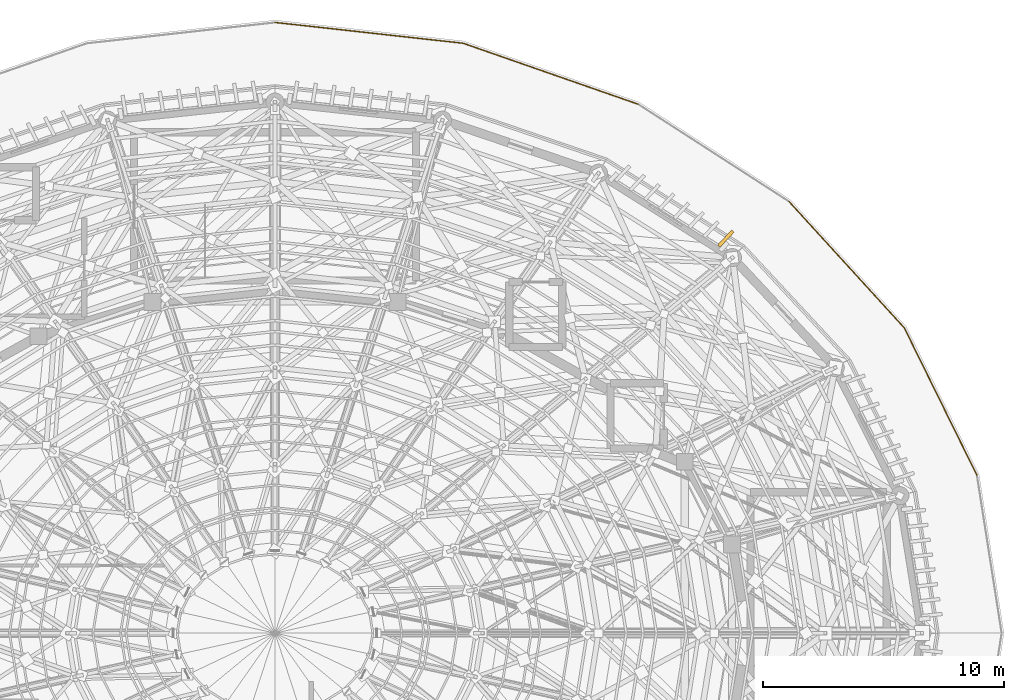
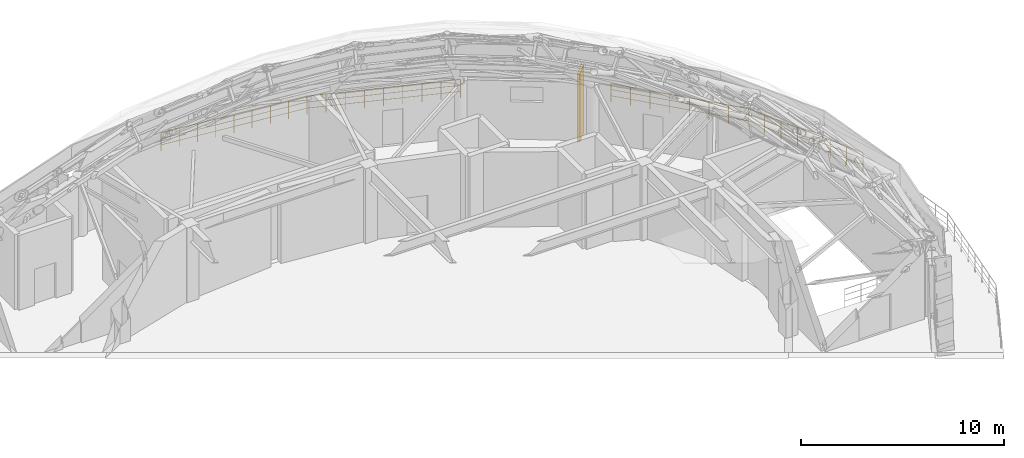
# One storey, part 50 of 50: 4 railings, 1 shading device.
"""IFC4 building model written with IfcOpenShell, lengths in metres."""

from ifc_helpers import new_model, si_unit, direction, frame, origin, origin_2d, place, context, subcontext, project, spatial, rectangle, circle, extrude, material, type_object, element, save


model = new_model("IFC4")

# Units and contexts
model_context = context("Model", 3, precision=1e-05, world=origin(), true_north=direction((0.0, 1.0)))
body_context = subcontext(model_context, "Body", "Model", "MODEL_VIEW")
ifc_project = project(units=[si_unit("LENGTHUNIT", "METRE"), si_unit("AREAUNIT", "SQUARE_METRE"), si_unit("VOLUMEUNIT", "CUBIC_METRE"), si_unit("PLANEANGLEUNIT", "RADIAN"), si_unit("MASSUNIT", "GRAM", prefix="KILO")], contexts=[model_context])

# Site, building, storey
site_placement = place(None, origin())
site = spatial("IfcSite", under=ifc_project, at=site_placement, CompositionType="ELEMENT")
building_placement = place(site_placement, origin())
building = spatial("IfcBuilding", under=site, at=building_placement, Name="Cinderbank Siding Concert Hall", CompositionType="ELEMENT")
storey_placement = place(building_placement, frame((0.0, 0.0, 23.699951171875)))
storey = spatial("IfcBuildingStorey", under=building, at=storey_placement, Name="L06", CompositionType="ELEMENT", Elevation=23.699951171875)

# Railings
ifc_material_1 = material(Name="Structural steel AS/NZS 3679.1 Grade 350 (340 MPa)", Category="steel")
railing_type = type_object("IfcRailingType", Name="GD-01 Terrace & Perimeter Guardrail 1120mm", PredefinedType="GUARDRAIL", material=ifc_material_1)
railing_1_placement = place(storey_placement, frame((122.0, 69.29931640625, 0.0)))
element("IfcRailing", 1, at=railing_1_placement, inside=storey, type_object=railing_type, Name="L06 Perimeter Guardrail #145", PredefinedType="GUARDRAIL", context=body_context, shape_type="SweptSolid", body=[
    extrude(circle(Radius=0.02392578125, at=origin_2d()), frame((0.0, 0.0, 1.09619140625), z_axis=(0.993925427563, -0.110055642488, 0.0), x_axis=(0.110055642488, 0.993925427563, 0.0)), (0.0, 0.0, 1.0), 7.841796875),
    extrude(circle(Radius=0.01611328125, at=origin_2d()), frame((0.0, 0.0, 0.36962890625), z_axis=(0.993925427563, -0.110055642488, 0.0), x_axis=(0.110055642488, 0.993925427563, 0.0)), (0.0, 0.0, 1.0), 7.841796875),
    extrude(circle(Radius=0.01611328125, at=origin_2d()), frame((0.0, 0.0, 0.7392578125), z_axis=(0.993925427563, -0.110055642488, 0.0), x_axis=(0.110055642488, 0.993925427563, 0.0)), (0.0, 0.0, 1.0), 7.841796875),
    extrude(circle(Radius=0.02099609375, at=origin_2d()), origin(), (0.0, 0.0, 1.0), 1.072021484375),
    extrude(circle(Radius=0.02099609375, at=origin_2d()), frame((0.974365234375, -0.10791015625, 0.0)), (0.0, 0.0, 1.0), 1.072021484375),
    extrude(circle(Radius=0.02099609375, at=origin_2d()), frame((1.948486328125, -0.2158203125, 0.0)), (0.0, 0.0, 1.0), 1.072021484375),
    extrude(circle(Radius=0.02099609375, at=origin_2d()), frame((2.9228515625, -0.32373046875, 0.0)), (0.0, 0.0, 1.0), 1.072021484375),
    extrude(circle(Radius=0.02099609375, at=origin_2d()), frame((3.89697265625, -0.431640625, 0.0)), (0.0, 0.0, 1.0), 1.072021484375),
    extrude(circle(Radius=0.02099609375, at=origin_2d()), frame((4.871337890625, -0.539306640625, 0.0)), (0.0, 0.0, 1.0), 1.072021484375),
    extrude(circle(Radius=0.02099609375, at=origin_2d()), frame((5.845703125, -0.647216796875, 0.0)), (0.0, 0.0, 1.0), 1.072021484375),
    extrude(circle(Radius=0.02099609375, at=origin_2d()), frame((6.81982421875, -0.755126953125, 0.0)), (0.0, 0.0, 1.0), 1.072021484375),
    extrude(circle(Radius=0.02099609375, at=origin_2d()), frame((7.794189453125, -0.863037109375, 0.0)), (0.0, 0.0, 1.0), 1.072021484375),
])
railing_2_placement = place(storey_placement, frame((129.794189453125, 68.436279296875, 0.0)))
element("IfcRailing", 2, at=railing_2_placement, inside=storey, type_object=railing_type, Name="L06 Perimeter Guardrail #146", PredefinedType="GUARDRAIL", context=body_context, shape_type="SweptSolid", body=[
    extrude(circle(Radius=0.02392578125, at=origin_2d()), frame((0.0, 0.0, 1.09619140625), z_axis=(0.94433649483, -0.328981130965, 0.0), x_axis=(0.328981130965, 0.94433649483, 0.0)), (0.0, 0.0, 1.0), 7.689697265625),
    extrude(circle(Radius=0.01611328125, at=origin_2d()), frame((0.0, 0.0, 0.36962890625), z_axis=(0.94433649483, -0.328981130965, 0.0), x_axis=(0.328981130965, 0.94433649483, 0.0)), (0.0, 0.0, 1.0), 7.689697265625),
    extrude(circle(Radius=0.01611328125, at=origin_2d()), frame((0.0, 0.0, 0.7392578125), z_axis=(0.94433649483, -0.328981130965, 0.0), x_axis=(0.328981130965, 0.94433649483, 0.0)), (0.0, 0.0, 1.0), 7.689697265625),
    extrude(circle(Radius=0.02099609375, at=origin_2d()), origin(), (0.0, 0.0, 1.0), 1.072021484375),
    extrude(circle(Radius=0.02099609375, at=origin_2d()), frame((0.90771484375, -0.316162109375, 0.0)), (0.0, 0.0, 1.0), 1.072021484375),
    extrude(circle(Radius=0.02099609375, at=origin_2d()), frame((1.8154296875, -0.63232421875, 0.0)), (0.0, 0.0, 1.0), 1.072021484375),
    extrude(circle(Radius=0.02099609375, at=origin_2d()), frame((2.72314453125, -0.94873046875, 0.0)), (0.0, 0.0, 1.0), 1.072021484375),
    extrude(circle(Radius=0.02099609375, at=origin_2d()), frame((3.630859375, -1.264892578125, 0.0)), (0.0, 0.0, 1.0), 1.072021484375),
    extrude(circle(Radius=0.02099609375, at=origin_2d()), frame((4.53857421875, -1.5810546875, 0.0)), (0.0, 0.0, 1.0), 1.072021484375),
    extrude(circle(Radius=0.02099609375, at=origin_2d()), frame((5.4462890625, -1.8974609375, 0.0)), (0.0, 0.0, 1.0), 1.072021484375),
    extrude(circle(Radius=0.02099609375, at=origin_2d()), frame((6.35400390625, -2.213623046875, 0.0)), (0.0, 0.0, 1.0), 1.072021484375),
    extrude(circle(Radius=0.02099609375, at=origin_2d()), frame((7.26171875, -2.52978515625, 0.0)), (0.0, 0.0, 1.0), 1.072021484375),
])
railing_3_placement = place(storey_placement, frame((143.28955078125, 61.883544921875, 0.0)))
element("IfcRailing", 3, at=railing_3_placement, inside=storey, type_object=railing_type, Name="L06 Perimeter Guardrail #148", PredefinedType="GUARDRAIL", context=body_context, shape_type="SweptSolid", body=[
    extrude(circle(Radius=0.02392578125, at=origin_2d()), frame((0.0, 0.0, 1.09619140625), z_axis=(0.673978793804, -0.738750692387, 0.0), x_axis=(0.738750692387, 0.673978793804, 0.0)), (0.0, 0.0, 1.0), 7.09375),
    extrude(circle(Radius=0.01611328125, at=origin_2d()), frame((0.0, 0.0, 0.36962890625), z_axis=(0.673978793804, -0.738750692387, 0.0), x_axis=(0.738750692387, 0.673978793804, 0.0)), (0.0, 0.0, 1.0), 7.09375),
    extrude(circle(Radius=0.01611328125, at=origin_2d()), frame((0.0, 0.0, 0.7392578125), z_axis=(0.673978793804, -0.738750692387, 0.0), x_axis=(0.738750692387, 0.673978793804, 0.0)), (0.0, 0.0, 1.0), 7.09375),
    extrude(circle(Radius=0.02099609375, at=origin_2d()), origin(), (0.0, 0.0, 1.0), 1.072021484375),
    extrude(circle(Radius=0.02099609375, at=origin_2d()), frame((0.68310546875, -0.74853515625, 0.0)), (0.0, 0.0, 1.0), 1.072021484375),
    extrude(circle(Radius=0.02099609375, at=origin_2d()), frame((1.365966796875, -1.497314453125, 0.0)), (0.0, 0.0, 1.0), 1.072021484375),
    extrude(circle(Radius=0.02099609375, at=origin_2d()), frame((2.049072265625, -2.245849609375, 0.0)), (0.0, 0.0, 1.0), 1.072021484375),
    extrude(circle(Radius=0.02099609375, at=origin_2d()), frame((2.73193359375, -2.99462890625, 0.0)), (0.0, 0.0, 1.0), 1.072021484375),
    extrude(circle(Radius=0.02099609375, at=origin_2d()), frame((3.4150390625, -3.7431640625, 0.0)), (0.0, 0.0, 1.0), 1.072021484375),
    extrude(circle(Radius=0.02099609375, at=origin_2d()), frame((4.097900390625, -4.491943359375, 0.0)), (0.0, 0.0, 1.0), 1.072021484375),
    extrude(circle(Radius=0.02099609375, at=origin_2d()), frame((4.781005859375, -5.240478515625, 0.0)), (0.0, 0.0, 1.0), 1.072021484375),
])
railing_4_placement = place(storey_placement, frame((148.070556640625, 56.64306640625, 0.0)))
element("IfcRailing", 4, at=railing_4_placement, inside=storey, type_object=railing_type, Name="L06 Perimeter Guardrail #149", PredefinedType="GUARDRAIL", context=body_context, shape_type="SweptSolid", body=[
    extrude(circle(Radius=0.02392578125, at=origin_2d()), frame((0.0, 0.0, 1.09619140625), z_axis=(0.441833864592, -0.897096893373, 0.0), x_axis=(0.897096893373, 0.441833864592, 0.0)), (0.0, 0.0, 1.0), 6.79931640625),
    extrude(circle(Radius=0.01611328125, at=origin_2d()), frame((0.0, 0.0, 0.36962890625), z_axis=(0.441833864592, -0.897096893373, 0.0), x_axis=(0.897096893373, 0.441833864592, 0.0)), (0.0, 0.0, 1.0), 6.79931640625),
    extrude(circle(Radius=0.01611328125, at=origin_2d()), frame((0.0, 0.0, 0.7392578125), z_axis=(0.441833864592, -0.897096893373, 0.0), x_axis=(0.897096893373, 0.441833864592, 0.0)), (0.0, 0.0, 1.0), 6.79931640625),
    extrude(circle(Radius=0.02099609375, at=origin_2d()), origin(), (0.0, 0.0, 1.0), 1.072021484375),
    extrude(circle(Radius=0.02099609375, at=origin_2d()), frame((0.42919921875, -0.871337890625, 0.0)), (0.0, 0.0, 1.0), 1.072021484375),
    extrude(circle(Radius=0.02099609375, at=origin_2d()), frame((0.8583984375, -1.74267578125, 0.0)), (0.0, 0.0, 1.0), 1.072021484375),
    extrude(circle(Radius=0.02099609375, at=origin_2d()), frame((1.28759765625, -2.614013671875, 0.0)), (0.0, 0.0, 1.0), 1.072021484375),
    extrude(circle(Radius=0.02099609375, at=origin_2d()), frame((1.716552734375, -3.485595703125, 0.0)), (0.0, 0.0, 1.0), 1.072021484375),
    extrude(circle(Radius=0.02099609375, at=origin_2d()), frame((2.145751953125, -4.35693359375, 0.0)), (0.0, 0.0, 1.0), 1.072021484375),
    extrude(circle(Radius=0.02099609375, at=origin_2d()), frame((2.574951171875, -5.228271484375, 0.0)), (0.0, 0.0, 1.0), 1.072021484375),
    extrude(circle(Radius=0.02099609375, at=origin_2d()), frame((3.004150390625, -6.099609375, 0.0)), (0.0, 0.0, 1.0), 1.072021484375),
])

# Shading device
ifc_material_2 = material(Name="Glazed architectural terracotta acoustic louvre unit", Category="masonry")
shading_device_type = type_object("IfcShadingDeviceType", Name="LV-02 Terracotta Louvre Blade 850x4050", PredefinedType="JALOUSIE", material=ifc_material_2)
shading_device_placement = place(storey_placement, frame((140.6767578125, 60.343994140625, -0.27490234375), z_axis=(0.0, 0.0, 1.0), x_axis=(0.682869257989, 0.730540605643, 0.0)))
element("IfcShadingDevice", 5, at=shading_device_placement, inside=storey, type_object=shading_device_type, Name="L06 Terracotta Louvre Blade #210", PredefinedType="JALOUSIE", context=body_context, shape_type="SweptSolid", body=[
    extrude(rectangle(XDim=0.85009765625, YDim=0.139892578125, at=origin_2d()), origin(), (0.0, 0.0, 1.0), 4.090087890625),
])

save(model, "model.ifc")
